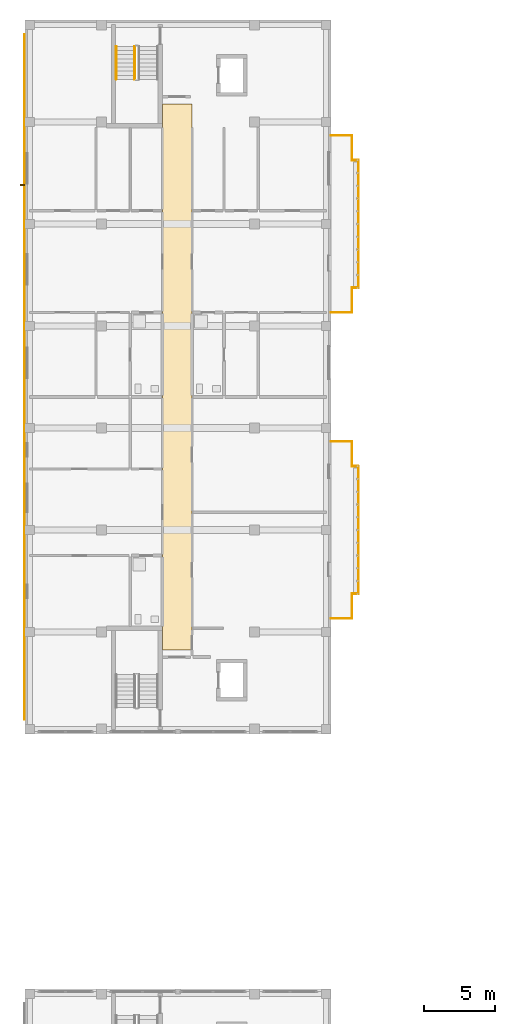
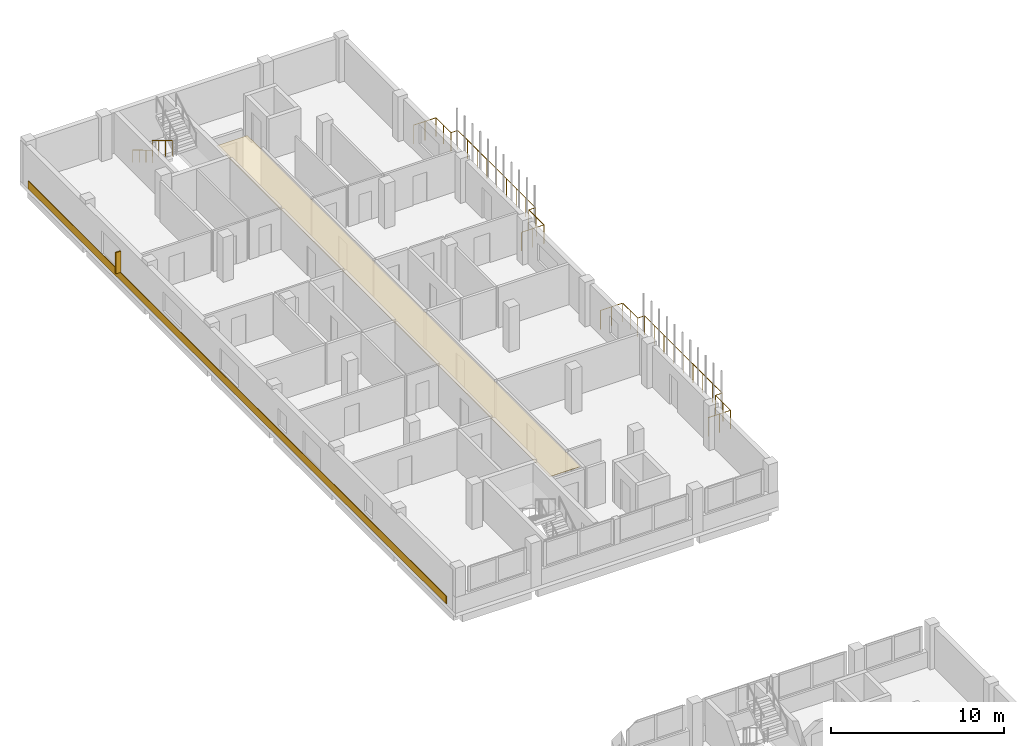
# One storey, part 43 of 51: 4 railings, 2 coverings, 1 shading device.
"""IFC4 building model written with IfcOpenShell, lengths in metres."""

from ifc_helpers import new_model, si_unit, derived_unit, direction, frame, origin, origin_2d, place, context, subcontext, project, spatial, polyline, rectangle, circle, outline, extrude, material, layer, layer_set, type_object, element, save


model = new_model("IFC4")

# Units and contexts
model_context = context("Model", 3, precision=1e-05, world=origin(), true_north=direction((0.0, 1.0)))
body_context = subcontext(model_context, "Body", "Model", "MODEL_VIEW")
ifc_project = project(units=[si_unit("LENGTHUNIT", "METRE"), si_unit("AREAUNIT", "SQUARE_METRE"), si_unit("VOLUMEUNIT", "CUBIC_METRE"), si_unit("PLANEANGLEUNIT", "RADIAN"), si_unit("MASSUNIT", "GRAM", prefix="KILO"), derived_unit("THERMALTRANSMITTANCEUNIT", [(si_unit("MASSUNIT", "GRAM", prefix="KILO"), 1), (si_unit("TIMEUNIT", "SECOND"), -3), (si_unit("THERMODYNAMICTEMPERATUREUNIT", "KELVIN"), -1)])], contexts=[model_context])

# Site, building, storey
site_placement = place(None, origin())
site = spatial("IfcSite", under=ifc_project, at=site_placement, CompositionType="ELEMENT")
building_placement = place(site_placement, origin())
building = spatial("IfcBuilding", under=site, at=building_placement, Name="Ochrekiln Boulevard Commons", CompositionType="ELEMENT")
storey_placement = place(building_placement, frame((0.0, 0.0, 18.375)))
storey = spatial("IfcBuildingStorey", under=building, at=storey_placement, Name="L05", CompositionType="ELEMENT", Elevation=18.375)

# Coverings
ifc_material_1 = material(Name="Mineral-fibre acoustic ceiling tile")
ifc_layer_1 = layer(ifc_material_1, 0.02490234375)
ifc_layer_set_1 = layer_set([ifc_layer_1], Name="Mineral-fibre acoustic ceiling tile")
covering_type_1 = type_object("IfcCoveringType", Name="COV-CEIL-AC", PredefinedType="CEILING", material=ifc_layer_set_1)
covering_1_placement = place(storey_placement, frame((0.0, 0.0, 2.64990234375)))
element("IfcCovering", 1, at=covering_1_placement, inside=storey, type_object=covering_type_1, Name="L05 Acoustic Corridor Ceiling 47", PredefinedType="CEILING", context=body_context, shape_type="SweptSolid", body=[
    extrude(outline(polyline([(9.719970703125, 74.320068359375), (11.780029296875, 74.320068359375), (11.780029296875, 112.8798828125), (9.719970703125, 112.8798828125), (9.719970703125, 74.320068359375)])), origin(), (0.0, 0.0, 1.0), 0.025146484375),
])
ifc_material_2 = material(Name="Glazed architectural terracotta ASTM C1405", Category="masonry")
ifc_layer_2 = layer(ifc_material_2, 0.0400390625)
ifc_layer_set_2 = layer_set([ifc_layer_2], Name="Glazed architectural terracotta ASTM C1405")
covering_type_2 = type_object("IfcCoveringType", Name="COV-CLAD-TERRA", PredefinedType="CLADDING", material=ifc_layer_set_2)
covering_2_placement = place(storey_placement, frame((-0.02001953125, 93.60009765625, 0.0751953125), z_axis=(0.0, 0.0, 1.0), x_axis=(1.0, 0.0, 0.0)))
element("IfcCovering", 2, at=covering_2_placement, inside=storey, type_object=covering_type_2, Name="Block A L05 Glazed Terracotta Spandrel Band", PredefinedType="CLADDING", context=body_context, shape_type="SweptSolid", body=[
    extrude(rectangle(XDim=0.0400390625, YDim=48.39990234375, at=origin_2d()), origin(), (0.0, 0.0, 1.0), 0.550048828125),
])

# Railings
ifc_material_3 = material(Name="Bronze-anodized extruded aluminium 6063-T6", Category="aluminium")
railing_type_1 = type_object("IfcRailingType", Name="RLG-BAL-1350", PredefinedType="BALUSTRADE", material=ifc_material_3)
railing_1_placement = place(storey_placement, frame((21.60009765625, 76.56005859375, 0.0)))
element("IfcRailing", 3, at=railing_1_placement, inside=storey, type_object=railing_type_1, Name="Block A L05 Balcony Guard Balustrade 1", PredefinedType="BALUSTRADE", context=body_context, shape_type="SweptSolid", body=[
    extrude(circle(Radius=0.02392578125, at=origin_2d()), frame((0.0, 0.0, 1.326171875), z_axis=(1.0, 0.0, 0.0), x_axis=(0.0, 1.0, 0.0)), (0.0, 0.0, 1.0), 1.489990234375),
    extrude(circle(Radius=0.02392578125, at=origin_2d()), frame((1.489990234375, 0.0, 1.326171875), z_axis=(0.0, 1.0, 0.0), x_axis=(-1.0, 0.0, 0.0)), (0.0, 0.0, 1.0), 1.739990234375),
    extrude(circle(Radius=0.02392578125, at=origin_2d()), frame((1.489990234375, 1.739990234375, 1.326171875), z_axis=(1.0, 0.0, 0.0), x_axis=(0.0, 1.0, 0.0)), (0.0, 0.0, 1.0), 0.449951171875),
    extrude(circle(Radius=0.02392578125, at=origin_2d()), frame((1.93994140625, 1.739990234375, 1.326171875), z_axis=(0.0, 1.0, 0.0), x_axis=(-1.0, 0.0, 0.0)), (0.0, 0.0, 1.0), 9.0),
    extrude(circle(Radius=0.02392578125, at=origin_2d()), frame((1.93994140625, 10.739990234375, 1.326171875), z_axis=(-1.0, 0.0, 0.0), x_axis=(0.0, -1.0, 0.0)), (0.0, 0.0, 1.0), 0.449951171875),
    extrude(circle(Radius=0.02392578125, at=origin_2d()), frame((1.489990234375, 10.739990234375, 1.326171875), z_axis=(0.0, 1.0, 0.0), x_axis=(-1.0, 0.0, 0.0)), (0.0, 0.0, 1.0), 1.739990234375),
    extrude(circle(Radius=0.02392578125, at=origin_2d()), frame((1.489990234375, 12.47998046875, 1.326171875), z_axis=(-1.0, 0.0, 0.0), x_axis=(0.0, -1.0, 0.0)), (0.0, 0.0, 1.0), 1.489990234375),
    extrude(circle(Radius=0.02099609375, at=origin_2d()), origin(), (0.0, 0.0, 1.0), 1.302001953125),
    extrude(circle(Radius=0.02099609375, at=origin_2d()), frame((0.7451171875, 0.0, 0.0)), (0.0, 0.0, 1.0), 1.302001953125),
    extrude(circle(Radius=0.02099609375, at=origin_2d()), frame((1.489990234375, 0.0, 0.0)), (0.0, 0.0, 1.0), 1.302001953125),
    extrude(circle(Radius=0.02099609375, at=origin_2d()), frame((1.489990234375, 0.8701171875, 0.0)), (0.0, 0.0, 1.0), 1.302001953125),
    extrude(circle(Radius=0.02099609375, at=origin_2d()), frame((1.489990234375, 1.739990234375, 0.0)), (0.0, 0.0, 1.0), 1.302001953125),
    extrude(circle(Radius=0.02099609375, at=origin_2d()), frame((1.93994140625, 1.739990234375, 0.0)), (0.0, 0.0, 1.0), 1.302001953125),
    extrude(circle(Radius=0.02099609375, at=origin_2d()), frame((1.93994140625, 2.864990234375, 0.0)), (0.0, 0.0, 1.0), 1.302001953125),
    extrude(circle(Radius=0.02099609375, at=origin_2d()), frame((1.93994140625, 3.989990234375, 0.0)), (0.0, 0.0, 1.0), 1.302001953125),
    extrude(circle(Radius=0.02099609375, at=origin_2d()), frame((1.93994140625, 5.114990234375, 0.0)), (0.0, 0.0, 1.0), 1.302001953125),
    extrude(circle(Radius=0.02099609375, at=origin_2d()), frame((1.93994140625, 6.239990234375, 0.0)), (0.0, 0.0, 1.0), 1.302001953125),
    extrude(circle(Radius=0.02099609375, at=origin_2d()), frame((1.93994140625, 7.364990234375, 0.0)), (0.0, 0.0, 1.0), 1.302001953125),
    extrude(circle(Radius=0.02099609375, at=origin_2d()), frame((1.93994140625, 8.489990234375, 0.0)), (0.0, 0.0, 1.0), 1.302001953125),
    extrude(circle(Radius=0.02099609375, at=origin_2d()), frame((1.93994140625, 9.614990234375, 0.0)), (0.0, 0.0, 1.0), 1.302001953125),
    extrude(circle(Radius=0.02099609375, at=origin_2d()), frame((1.93994140625, 10.739990234375, 0.0)), (0.0, 0.0, 1.0), 1.302001953125),
    extrude(circle(Radius=0.02099609375, at=origin_2d()), frame((1.489990234375, 10.739990234375, 0.0)), (0.0, 0.0, 1.0), 1.302001953125),
    extrude(circle(Radius=0.02099609375, at=origin_2d()), frame((1.489990234375, 11.60986328125, 0.0)), (0.0, 0.0, 1.0), 1.302001953125),
    extrude(circle(Radius=0.02099609375, at=origin_2d()), frame((1.489990234375, 12.47998046875, 0.0)), (0.0, 0.0, 1.0), 1.302001953125),
    extrude(circle(Radius=0.02099609375, at=origin_2d()), frame((0.7451171875, 12.47998046875, 0.0)), (0.0, 0.0, 1.0), 1.302001953125),
    extrude(circle(Radius=0.02099609375, at=origin_2d()), frame((0.0, 12.47998046875, 0.0)), (0.0, 0.0, 1.0), 1.302001953125),
])
railing_2_placement = place(storey_placement, frame((21.60009765625, 98.159912109375, 0.0)))
element("IfcRailing", 4, at=railing_2_placement, inside=storey, type_object=railing_type_1, Name="Block A L05 Balcony Guard Balustrade 2", PredefinedType="BALUSTRADE", context=body_context, shape_type="SweptSolid", body=[
    extrude(circle(Radius=0.02392578125, at=origin_2d()), frame((0.0, 0.0, 1.326171875), z_axis=(1.0, 0.0, 0.0), x_axis=(0.0, 1.0, 0.0)), (0.0, 0.0, 1.0), 1.489990234375),
    extrude(circle(Radius=0.02392578125, at=origin_2d()), frame((1.489990234375, 0.0, 1.326171875), z_axis=(0.0, 1.0, 0.0), x_axis=(-1.0, 0.0, 0.0)), (0.0, 0.0, 1.0), 1.739990234375),
    extrude(circle(Radius=0.02392578125, at=origin_2d()), frame((1.489990234375, 1.739990234375, 1.326171875), z_axis=(1.0, 0.0, 0.0), x_axis=(0.0, 1.0, 0.0)), (0.0, 0.0, 1.0), 0.449951171875),
    extrude(circle(Radius=0.02392578125, at=origin_2d()), frame((1.93994140625, 1.739990234375, 1.326171875), z_axis=(0.0, 1.0, 0.0), x_axis=(-1.0, 0.0, 0.0)), (0.0, 0.0, 1.0), 9.0),
    extrude(circle(Radius=0.02392578125, at=origin_2d()), frame((1.93994140625, 10.739990234375, 1.326171875), z_axis=(-1.0, 0.0, 0.0), x_axis=(0.0, -1.0, 0.0)), (0.0, 0.0, 1.0), 0.449951171875),
    extrude(circle(Radius=0.02392578125, at=origin_2d()), frame((1.489990234375, 10.739990234375, 1.326171875), z_axis=(0.0, 1.0, 0.0), x_axis=(-1.0, 0.0, 0.0)), (0.0, 0.0, 1.0), 1.739990234375),
    extrude(circle(Radius=0.02392578125, at=origin_2d()), frame((1.489990234375, 12.47998046875, 1.326171875), z_axis=(-1.0, 0.0, 0.0), x_axis=(0.0, -1.0, 0.0)), (0.0, 0.0, 1.0), 1.489990234375),
    extrude(circle(Radius=0.02099609375, at=origin_2d()), origin(), (0.0, 0.0, 1.0), 1.302001953125),
    extrude(circle(Radius=0.02099609375, at=origin_2d()), frame((0.7451171875, 0.0, 0.0)), (0.0, 0.0, 1.0), 1.302001953125),
    extrude(circle(Radius=0.02099609375, at=origin_2d()), frame((1.489990234375, 0.0, 0.0)), (0.0, 0.0, 1.0), 1.302001953125),
    extrude(circle(Radius=0.02099609375, at=origin_2d()), frame((1.489990234375, 0.8701171875, 0.0)), (0.0, 0.0, 1.0), 1.302001953125),
    extrude(circle(Radius=0.02099609375, at=origin_2d()), frame((1.489990234375, 1.739990234375, 0.0)), (0.0, 0.0, 1.0), 1.302001953125),
    extrude(circle(Radius=0.02099609375, at=origin_2d()), frame((1.93994140625, 1.739990234375, 0.0)), (0.0, 0.0, 1.0), 1.302001953125),
    extrude(circle(Radius=0.02099609375, at=origin_2d()), frame((1.93994140625, 2.864990234375, 0.0)), (0.0, 0.0, 1.0), 1.302001953125),
    extrude(circle(Radius=0.02099609375, at=origin_2d()), frame((1.93994140625, 3.989990234375, 0.0)), (0.0, 0.0, 1.0), 1.302001953125),
    extrude(circle(Radius=0.02099609375, at=origin_2d()), frame((1.93994140625, 5.114990234375, 0.0)), (0.0, 0.0, 1.0), 1.302001953125),
    extrude(circle(Radius=0.02099609375, at=origin_2d()), frame((1.93994140625, 6.239990234375, 0.0)), (0.0, 0.0, 1.0), 1.302001953125),
    extrude(circle(Radius=0.02099609375, at=origin_2d()), frame((1.93994140625, 7.364990234375, 0.0)), (0.0, 0.0, 1.0), 1.302001953125),
    extrude(circle(Radius=0.02099609375, at=origin_2d()), frame((1.93994140625, 8.489990234375, 0.0)), (0.0, 0.0, 1.0), 1.302001953125),
    extrude(circle(Radius=0.02099609375, at=origin_2d()), frame((1.93994140625, 9.614990234375, 0.0)), (0.0, 0.0, 1.0), 1.302001953125),
    extrude(circle(Radius=0.02099609375, at=origin_2d()), frame((1.93994140625, 10.739990234375, 0.0)), (0.0, 0.0, 1.0), 1.302001953125),
    extrude(circle(Radius=0.02099609375, at=origin_2d()), frame((1.489990234375, 10.739990234375, 0.0)), (0.0, 0.0, 1.0), 1.302001953125),
    extrude(circle(Radius=0.02099609375, at=origin_2d()), frame((1.489990234375, 11.60986328125, 0.0)), (0.0, 0.0, 1.0), 1.302001953125),
    extrude(circle(Radius=0.02099609375, at=origin_2d()), frame((1.489990234375, 12.47998046875, 0.0)), (0.0, 0.0, 1.0), 1.302001953125),
    extrude(circle(Radius=0.02099609375, at=origin_2d()), frame((0.7451171875, 12.47998046875, 0.0)), (0.0, 0.0, 1.0), 1.302001953125),
    extrude(circle(Radius=0.02099609375, at=origin_2d()), frame((0.0, 12.47998046875, 0.0)), (0.0, 0.0, 1.0), 1.302001953125),
])
ifc_material_4 = material(Name="Brushed stainless steel 316 tubular railing", Category="steel")
railing_type_2 = type_object("IfcRailingType", Name="RLG-HDR-900", PredefinedType="HANDRAIL", material=ifc_material_4)
railing_3_placement = place(storey_placement, frame((6.449951171875, 116.929931640625, 0.175048828125)))
element("IfcRailing", 5, at=railing_3_placement, inside=storey, type_object=railing_type_2, Name="L05 ST-A2 stair handrail 1", PredefinedType="HANDRAIL", context=body_context, shape_type="SweptSolid", body=[
    extrude(circle(Radius=0.02392578125, at=origin_2d()), frame((0.0, 0.0, 0.8759765625), z_axis=(0.0, -0.856186286599, 0.516667245565), x_axis=(1.0, 0.0, 0.0)), (0.0, 0.0, 1.0), 2.70947265625),
    extrude(circle(Radius=0.02099609375, at=origin_2d()), origin(), (0.0, 0.0, 1.0), 0.851806640625),
    extrude(circle(Radius=0.02099609375, at=origin_2d()), frame((0.0, -0.773193359375, 0.466552734375)), (0.0, 0.0, 1.0), 0.851806640625),
    extrude(circle(Radius=0.02099609375, at=origin_2d()), frame((0.0, -1.546630859375, 0.933349609375)), (0.0, 0.0, 1.0), 0.851806640625),
    extrude(circle(Radius=0.02099609375, at=origin_2d()), frame((0.0, -2.31982421875, 1.39990234375)), (0.0, 0.0, 1.0), 0.851806640625),
])
railing_type_3 = type_object("IfcRailingType", Name="RLG-STR-1120", PredefinedType="BALUSTRADE", material=ifc_material_4)
railing_4_placement = place(storey_placement, frame((7.75, 116.929931640625, 0.175048828125)))
element("IfcRailing", 6, at=railing_4_placement, inside=storey, type_object=railing_type_3, Name="L05 ST-A2 stair guard 1", PredefinedType="BALUSTRADE", context=body_context, shape_type="SweptSolid", body=[
    extrude(circle(Radius=0.02392578125, at=origin_2d()), frame((0.0, 0.0, 1.09619140625), z_axis=(0.0, -0.856186286599, 0.516667245565), x_axis=(1.0, 0.0, 0.0)), (0.0, 0.0, 1.0), 2.70947265625),
    extrude(circle(Radius=0.02099609375, at=origin_2d()), origin(), (0.0, 0.0, 1.0), 1.072021484375),
    extrude(circle(Radius=0.02099609375, at=origin_2d()), frame((0.0, -0.773193359375, 0.466552734375)), (0.0, 0.0, 1.0), 1.072021484375),
    extrude(circle(Radius=0.02099609375, at=origin_2d()), frame((0.0, -1.546630859375, 0.933349609375)), (0.0, 0.0, 1.0), 1.072021484375),
    extrude(circle(Radius=0.02099609375, at=origin_2d()), frame((0.0, -2.31982421875, 1.39990234375)), (0.0, 0.0, 1.0), 1.072021484375),
])

# Shading device
shading_device_type = type_object("IfcShadingDeviceType", Name="SHD-FIN-TERRA", PredefinedType="JALOUSIE", material=ifc_material_2)
shading_device_placement = place(storey_placement, frame((-0.169921875, 107.153076171875, 0.6298828125), z_axis=(0.0, 0.0, 1.0), x_axis=(1.0, 0.0, 0.0)))
element("IfcShadingDevice", 7, at=shading_device_placement, inside=storey, type_object=shading_device_type, Name="Terracotta Solar Shading Fin SF-01 (9)", PredefinedType="JALOUSIE", context=body_context, shape_type="SweptSolid", body=[
    extrude(rectangle(XDim=0.35009765625, YDim=0.080078125, at=origin_2d()), origin(), (0.0, 0.0, 1.0), 1.5),
])

save(model, "model.ifc")
